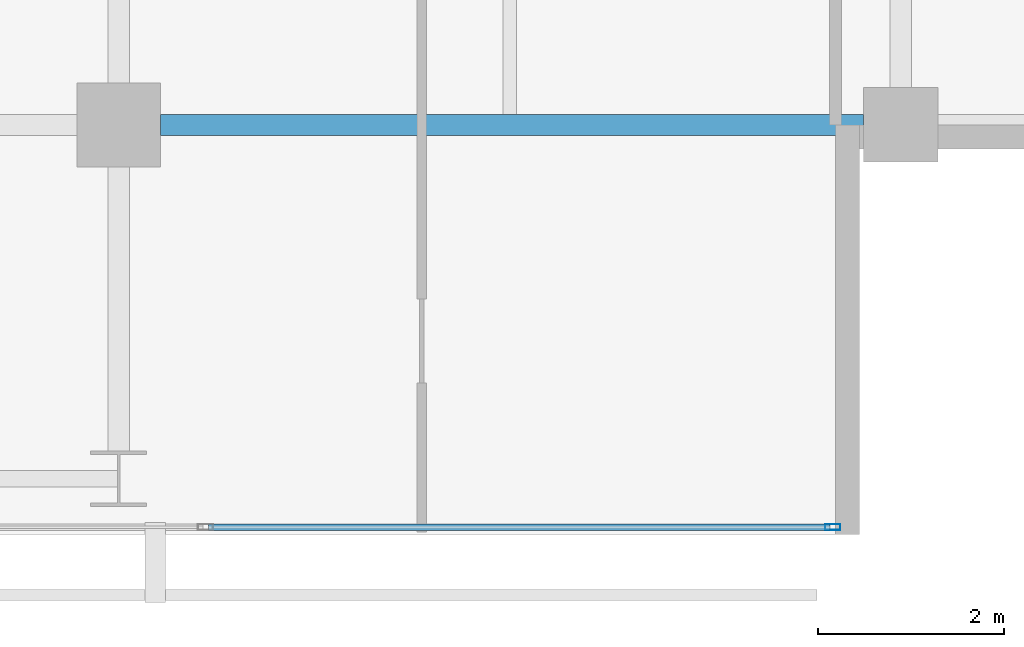
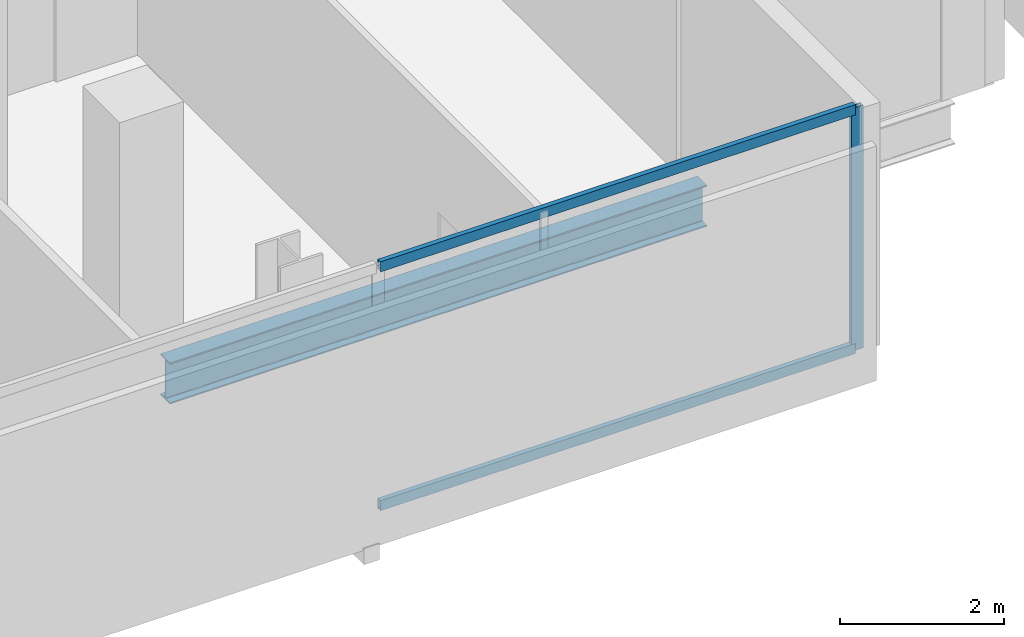
# One storey, part 13 of 34: 3 members, 1 beam, 1 element without a shape of its own.
"""IFC4 building model written with IfcOpenShell, lengths in metres."""

from ifc_helpers import new_model, si_unit, direction, frame, origin, origin_2d, place, context, subcontext, project, spatial, hollow_rectangle, i_section, extrude, material, layer, layer_set, material_profile, profile_set, type_object, element, aggregate, save


model = new_model("IFC4")

# Units and contexts
model_context = context("Model", 3, precision=1e-05, world=origin(), true_north=direction((0.0, 1.0)))
body_context = subcontext(model_context, "Body", "Model", "MODEL_VIEW")
ifc_project = project(units=[si_unit("LENGTHUNIT", "METRE"), si_unit("AREAUNIT", "SQUARE_METRE"), si_unit("VOLUMEUNIT", "CUBIC_METRE"), si_unit("PLANEANGLEUNIT", "RADIAN"), si_unit("MASSUNIT", "GRAM", prefix="KILO")], contexts=[model_context])

# Site, building, storey
site_placement = place(None, origin())
site = spatial("IfcSite", under=ifc_project, at=site_placement, CompositionType="ELEMENT")
building_placement = place(site_placement, origin())
building = spatial("IfcBuilding", under=site, at=building_placement, Name="Maruvema Waterfront Hotel and Observation Tower", CompositionType="ELEMENT")
storey_placement = place(building_placement, frame((0.0, 0.0, 146.64990234375)))
storey = spatial("IfcBuildingStorey", under=building, at=storey_placement, Name="L35", CompositionType="ELEMENT", Elevation=146.64990234375)

# Curtain wall, members
ifc_material_1 = material(Name="Anodised bronze aluminium and solar-control low-E IGU", Category="aluminium")
ifc_layer = layer(ifc_material_1, 0.159912109375, Name="Zone 2 Amber Inner Thermal Curtain Wall System CW-03")
ifc_layer_set = layer_set([ifc_layer], Name="Anodised bronze aluminium and solar-control low-E IGU")
curtain_wall_type = type_object("IfcCurtainWallType", Name="Zone 2 Amber Inner Thermal Curtain Wall System CW-03", PredefinedType="USERDEFINED", material=ifc_layer_set)
curtain_wall_placement = place(storey_placement, origin())
curtain_wall = element("IfcCurtainWall", 1, at=curtain_wall_placement, inside=storey, type_object=curtain_wall_type, Name="L35 Curtain Wall CW-L35-S", ObjectType="UNITISED CURTAIN WALL", PredefinedType="USERDEFINED")
ifc_material_2 = material(Name="Anodised architectural bronze aluminium", Category="aluminium")
ifc_material_profile_1 = material_profile(ifc_material_2, hollow_rectangle(XDim=0.070068359375, YDim=0.14990234375, WallThickness=0.00390625, at=origin_2d()), Name="ALU-T70x150")
ifc_profile_set_1 = profile_set([ifc_material_profile_1], Name="Anodised architectural bronze aluminium")
member_type_1 = type_object("IfcMemberType", Name="Curtain Wall Horizontal Transom ALU-T70x150", PredefinedType="USERDEFINED", material=ifc_profile_set_1)
member_1_placement = place(storey_placement, frame((51.36328125, 4.679931640625, 0.030029296875), z_axis=(1.0, 0.0, 0.0), x_axis=(0.0, 1.0, 0.0)))
member_1 = element("IfcMember", 2, at=member_1_placement, type_object=member_type_1, Name="CW-03 transom 6.1", ObjectType="TRANSOM", PredefinedType="USERDEFINED", context=body_context, shape_type="SweptSolid", body=[
    extrude(hollow_rectangle(XDim=0.070068359375, YDim=0.14990234375, WallThickness=0.00390625, at=origin_2d()), origin(), (0.0, 0.0, 1.0), 6.6767578125),
])
member_2_placement = place(storey_placement, frame((51.36328125, 4.679931640625, 3.580078125), z_axis=(1.0, 0.0, 0.0), x_axis=(0.0, 1.0, 0.0)))
member_2 = element("IfcMember", 3, at=member_2_placement, type_object=member_type_1, Name="CW-03 transom 6.2", ObjectType="TRANSOM", PredefinedType="USERDEFINED", context=body_context, shape_type="SweptSolid", body=[
    extrude(hollow_rectangle(XDim=0.070068359375, YDim=0.14990234375, WallThickness=0.00390625, at=origin_2d()), origin(), (0.0, 0.0, 1.0), 6.6767578125),
])
ifc_material_3 = material(Name="Anodised architectural bronze aluminium", Category="aluminium")
ifc_material_profile_2 = material_profile(ifc_material_3, hollow_rectangle(XDim=0.06494140625, YDim=0.1650390625, WallThickness=0.00390625, at=origin_2d()), Name="ALU-M65x165")
ifc_profile_set_2 = profile_set([ifc_material_profile_2], Name="Anodised architectural bronze aluminium")
member_type_2 = type_object("IfcMemberType", Name="Curtain Wall Primary Mullion ALU-M65x165", PredefinedType="MULLION", material=ifc_profile_set_2)
member_3_placement = place(storey_placement, frame((58.070068359375, 4.679931640625, 0.0), z_axis=(0.0, 0.0, 1.0), x_axis=(0.0, 1.0, 0.0)))
member_3 = element("IfcMember", 4, at=member_3_placement, type_object=member_type_2, Name="CW-03 mullion 7", PredefinedType="MULLION", context=body_context, shape_type="SweptSolid", body=[
    extrude(hollow_rectangle(XDim=0.06494140625, YDim=0.1650390625, WallThickness=0.00390625, at=origin_2d()), origin(), (0.0, 0.0, 1.0), 3.610107421875),
])
aggregate(curtain_wall, [member_3, member_1, member_2])

# Beam
ifc_material_4 = material(Name="Steel ASTM A572 Grade 50", Category="steel")
ifc_material_profile_3 = material_profile(ifc_material_4, i_section(OverallWidth=0.22900390625, OverallDepth=0.612060546875, WebThickness=0.011962890625, FlangeThickness=0.01953125, FilletRadius=0.01806640625, at=origin_2d()), Name="W610x125.0")
ifc_profile_set_3 = profile_set([ifc_material_profile_3], Name="Steel ASTM A572 Grade 50")
beam_type = type_object("IfcBeamType", Name="Primary Floor Girder W610x125.0", PredefinedType="BEAM", material=ifc_profile_set_3)
beam_placement = place(storey_placement, frame((50.85009765625, 9.0, -0.5458984375), z_axis=(1.0, 0.0, 0.0), x_axis=(0.0, 1.0, 0.0)))
element("IfcBeam", 5, at=beam_placement, inside=storey, type_object=beam_type, Name="L35 Floor Girder EW-09", PredefinedType="BEAM", context=body_context, shape_type="SweptSolid", body=[
    extrude(i_section(OverallWidth=0.22900390625, OverallDepth=0.612060546875, WebThickness=0.011962890625, FlangeThickness=0.01953125, FilletRadius=0.01806640625, at=origin_2d()), origin(), (0.0, 0.0, 1.0), 7.5498046875),
])

save(model, "model.ifc")
